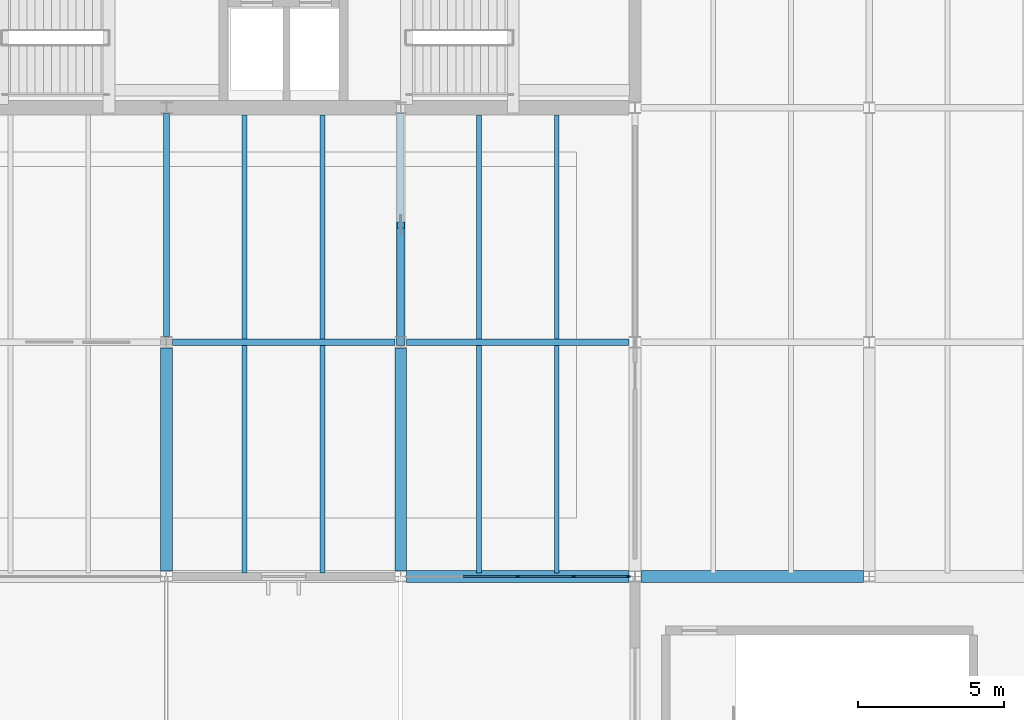
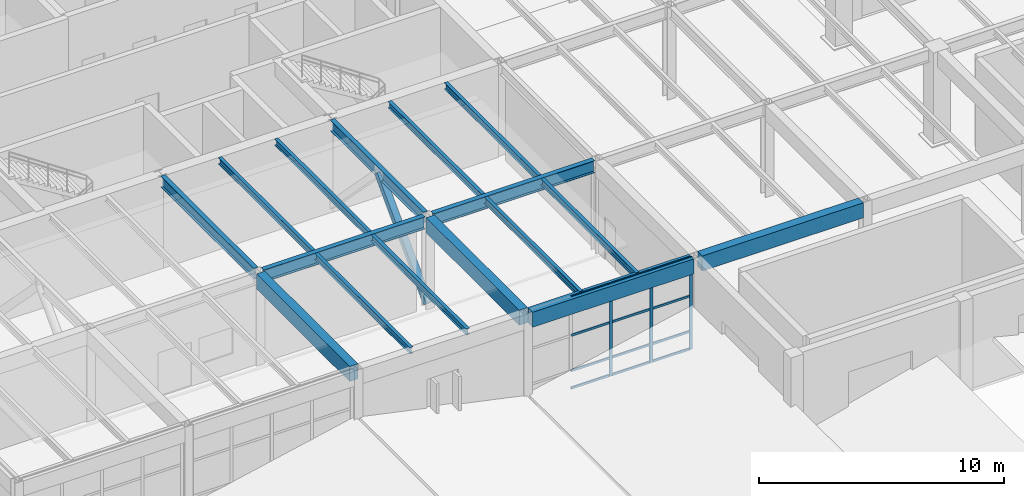
# One storey, part 11 of 60: 16 beams, 16 members, 1 element without a shape of its own.
"""IFC4 building model written with IfcOpenShell, lengths in metres."""

from ifc_helpers import new_model, si_unit, direction, frame, origin, origin_2d, place, context, subcontext, project, spatial, rectangle, hollow_rectangle, i_section, extrude, material, layer, layer_set, material_profile, profile_set, type_object, element, aggregate, save


model = new_model("IFC4")

# Units and contexts
model_context = context("Model", 3, precision=1e-05, world=origin(), true_north=direction((0.0, 1.0)))
body_context = subcontext(model_context, "Body", "Model", "MODEL_VIEW")
ifc_project = project(units=[si_unit("LENGTHUNIT", "METRE"), si_unit("AREAUNIT", "SQUARE_METRE"), si_unit("VOLUMEUNIT", "CUBIC_METRE"), si_unit("PLANEANGLEUNIT", "RADIAN"), si_unit("MASSUNIT", "GRAM", prefix="KILO")], contexts=[model_context])

# Site, building, storey
site_placement = place(None, origin())
site = spatial("IfcSite", under=ifc_project, at=site_placement, CompositionType="ELEMENT")
building_placement = place(site_placement, origin())
building = spatial("IfcBuilding", under=site, at=building_placement, Name="Varnela Railside Interchange", CompositionType="ELEMENT")
storey_placement = place(building_placement, frame((0.0, 0.0, 6.300048828125)))
storey = spatial("IfcBuildingStorey", under=building, at=storey_placement, Name="L01", CompositionType="ELEMENT", Elevation=6.300048828125)

# Beams
ifc_material_1 = material(Name="Steel AR 350 (350 MPa)", Category="steel")
ifc_material_profile_1 = material_profile(ifc_material_1, i_section(OverallWidth=0.1650390625, OverallDepth=0.31005859375, WebThickness=0.005859375, FlangeThickness=0.009765625, at=origin_2d()), Name="W310x38.7")
ifc_profile_set_1 = profile_set([ifc_material_profile_1], Name="Steel AR 350 (350 MPa)")
beam_type_1 = type_object("IfcBeamType", Name="Composite Floor Joist J-04", PredefinedType="JOIST", material=ifc_profile_set_1)
for number, where, z_axis, x_axis, name in (
    (1, (22.669921875, 38.114501953125, 4.445068359375), (0.0, 1.0, 0.0), (-1.0, 0.0, 0.0), "Composite Floor Joist J-04 (L01) (BM-1548)"),
    (2, (25.330078125, 38.114501953125, 4.445068359375), (0.0, 1.0, 0.0), (-1.0, 0.0, 0.0), "Composite Floor Joist J-04 (L01) (BM-1549)"),
):
    element("IfcBeam", number, at=place(storey_placement, frame(where, z_axis=z_axis, x_axis=x_axis)), inside=storey, type_object=beam_type_1, Name=name, PredefinedType="JOIST", context=body_context, shape_type="SweptSolid", body=[
        extrude(i_section(OverallWidth=0.1650390625, OverallDepth=0.31005859375, WebThickness=0.005859375, FlangeThickness=0.009765625, at=origin_2d()), origin(), (0.0, 0.0, 1.0), 7.77099609375),
    ])
for number, where, z_axis, x_axis, name in (
    (3, (22.669921875, 46.114501953125, 4.445068359375), (0.0, 1.0, 0.0), (-1.0, 0.0, 0.0), "Composite Floor Joist J-04 (L01) (BM-1550)"),
    (4, (25.330078125, 46.114501953125, 4.445068359375), (0.0, 1.0, 0.0), (-1.0, 0.0, 0.0), "Composite Floor Joist J-04 (L01) (BM-1551)"),
):
    element("IfcBeam", number, at=place(storey_placement, frame(where, z_axis=z_axis, x_axis=x_axis)), inside=storey, type_object=beam_type_1, Name=name, PredefinedType="JOIST", context=body_context, shape_type="SweptSolid", body=[
        extrude(i_section(OverallWidth=0.1650390625, OverallDepth=0.31005859375, WebThickness=0.005859375, FlangeThickness=0.009765625, at=origin_2d()), origin(), (0.0, 0.0, 1.0), 7.6455078125),
    ])
for number, where, z_axis, x_axis, name in (
    (5, (30.669921875, 38.114501953125, 4.445068359375), (0.0, 1.0, 0.0), (-1.0, 0.0, 0.0), "Composite Floor Joist J-04 (L01) (BM-1558)"),
    (6, (33.330078125, 38.114501953125, 4.445068359375), (0.0, 1.0, 0.0), (-1.0, 0.0, 0.0), "Composite Floor Joist J-04 (L01) (BM-1559)"),
):
    element("IfcBeam", number, at=place(storey_placement, frame(where, z_axis=z_axis, x_axis=x_axis)), inside=storey, type_object=beam_type_1, Name=name, PredefinedType="JOIST", context=body_context, shape_type="SweptSolid", body=[
        extrude(i_section(OverallWidth=0.1650390625, OverallDepth=0.31005859375, WebThickness=0.005859375, FlangeThickness=0.009765625, at=origin_2d()), origin(), (0.0, 0.0, 1.0), 7.77099609375),
    ])
for number, where, z_axis, x_axis, name in (
    (7, (30.669921875, 46.114501953125, 4.445068359375), (0.0, 1.0, 0.0), (-1.0, 0.0, 0.0), "Composite Floor Joist J-04 (L01) (BM-1560)"),
    (8, (33.330078125, 46.114501953125, 4.445068359375), (0.0, 1.0, 0.0), (-1.0, 0.0, 0.0), "Composite Floor Joist J-04 (L01) (BM-1561)"),
):
    element("IfcBeam", number, at=place(storey_placement, frame(where, z_axis=z_axis, x_axis=x_axis)), inside=storey, type_object=beam_type_1, Name=name, PredefinedType="JOIST", context=body_context, shape_type="SweptSolid", body=[
        extrude(i_section(OverallWidth=0.1650390625, OverallDepth=0.31005859375, WebThickness=0.005859375, FlangeThickness=0.009765625, at=origin_2d()), origin(), (0.0, 0.0, 1.0), 7.6455078125),
    ])
ifc_material_profile_2 = material_profile(ifc_material_1, i_section(OverallWidth=0.2119140625, OverallDepth=0.5439453125, WebThickness=0.01318359375, FlangeThickness=0.021240234375, at=origin_2d()), Name="W530x123")
ifc_profile_set_2 = profile_set([ifc_material_profile_2], Name="Steel AR 350 (350 MPa)")
beam_type_2 = type_object("IfcBeamType", Name="Composite Heavy Girder B-16", PredefinedType="BEAM", material=ifc_profile_set_2)
for number, where, z_axis, x_axis, name in (
    (9, (20.0, 46.193603515625, 4.327880859375), (0.0, 1.0, 0.0), (-1.0, 0.0, 0.0), "Composite Heavy Girder B-16 (L01) (BM-1756)"),
    (10, (28.0, 46.193603515625, 4.327880859375), (0.0, 1.0, 0.0), (-1.0, 0.0, 0.0), "Composite Heavy Girder B-16 (L01) (BM-1761)"),
):
    element("IfcBeam", number, at=place(storey_placement, frame(where, z_axis=z_axis, x_axis=x_axis)), inside=storey, type_object=beam_type_2, Name=name, PredefinedType="BEAM", context=body_context, shape_type="SweptSolid", body=[
        extrude(i_section(OverallWidth=0.2119140625, OverallDepth=0.5439453125, WebThickness=0.01318359375, FlangeThickness=0.021240234375, at=origin_2d()), origin(), (0.0, 0.0, 1.0), 7.60693359375),
    ])

# Curtain wall, members
ifc_material_2 = material(Name="Aluminium 6063-T6", Category="aluminium")
ifc_layer = layer(ifc_material_2, 0.035888671875)
ifc_layer_set = layer_set([ifc_layer], Name="Aluminium 6063-T6")
curtain_wall_type = type_object("IfcCurtainWallType", Name="Operations Wing Facade Curtain Wall CW-03", PredefinedType="USERDEFINED", material=ifc_layer_set)
curtain_wall_placement = place(storey_placement, origin())
curtain_wall = element("IfcCurtainWall", 11, at=curtain_wall_placement, inside=storey, type_object=curtain_wall_type, Name="Curtain Wall CW-03 (L01) (CW-042)", ObjectType="CURTAIN WALL", PredefinedType="USERDEFINED")
ifc_material_profile_3 = material_profile(ifc_material_2, rectangle(XDim=0.06005859375, YDim=0.139892578125, at=origin_2d()), Name="ALU 60x140")
ifc_profile_set_3 = profile_set([ifc_material_profile_3], Name="Aluminium 6063-T6")
member_type_1 = type_object("IfcMemberType", Name="Curtain Wall Mullion ML-01", PredefinedType="MULLION", material=ifc_profile_set_3)
member_1_placement = place(storey_placement, frame((35.77099609375, 38.0, 0.0), z_axis=(0.0, 0.0, 1.0), x_axis=(0.0, -1.0, 0.0)))
member_1 = element("IfcMember", 12, at=member_1_placement, type_object=member_type_1, Name="CW-03 mullion 1", PredefinedType="MULLION", context=body_context, shape_type="SweptSolid", body=[
    extrude(rectangle(XDim=0.06005859375, YDim=0.139892578125, at=origin_2d()), origin(), (0.0, 0.0, 1.0), 4.599853515625),
])
member_2_placement = place(storey_placement, frame((33.900390625, 38.0, 0.0), z_axis=(0.0, 0.0, 1.0), x_axis=(0.0, -1.0, 0.0)))
member_2 = element("IfcMember", 13, at=member_2_placement, type_object=member_type_1, Name="CW-03 mullion 2", PredefinedType="MULLION", context=body_context, shape_type="SweptSolid", body=[
    extrude(rectangle(XDim=0.06005859375, YDim=0.139892578125, at=origin_2d()), origin(), (0.0, 0.0, 1.0), 4.599853515625),
])
member_3_placement = place(storey_placement, frame((32.0, 38.0, 0.0), z_axis=(0.0, 0.0, 1.0), x_axis=(0.0, -1.0, 0.0)))
member_3 = element("IfcMember", 14, at=member_3_placement, type_object=member_type_1, Name="CW-03 mullion 3", PredefinedType="MULLION", context=body_context, shape_type="SweptSolid", body=[
    extrude(rectangle(XDim=0.06005859375, YDim=0.139892578125, at=origin_2d()), origin(), (0.0, 0.0, 1.0), 4.599853515625),
])
ifc_material_profile_4 = material_profile(ifc_material_2, rectangle(XDim=0.06005859375, YDim=0.110107421875, at=origin_2d()), Name="ALU 60x110")
ifc_profile_set_4 = profile_set([ifc_material_profile_4], Name="Aluminium 6063-T6")
member_type_2 = type_object("IfcMemberType", Name="Curtain Wall Transom TR-01", PredefinedType="USERDEFINED", material=ifc_profile_set_4)
member_4_placement = place(storey_placement, frame((35.740966796875, 38.0, 0.030029296875), z_axis=(-1.0, 0.0, 0.0), x_axis=(0.0, -1.0, 0.0)))
member_4 = element("IfcMember", 15, at=member_4_placement, type_object=member_type_2, Name="CW-03 transom 1.1", ObjectType="TRANSOM", PredefinedType="USERDEFINED", context=body_context, shape_type="SweptSolid", body=[
    extrude(rectangle(XDim=0.06005859375, YDim=0.110107421875, at=origin_2d()), origin(), (0.0, 0.0, 1.0), 1.810546875),
])
member_5_placement = place(storey_placement, frame((35.740966796875, 38.0, 0.89990234375), z_axis=(-1.0, 0.0, 0.0), x_axis=(0.0, -1.0, 0.0)))
member_5 = element("IfcMember", 16, at=member_5_placement, type_object=member_type_2, Name="CW-03 transom 1.2", ObjectType="TRANSOM", PredefinedType="USERDEFINED", context=body_context, shape_type="SweptSolid", body=[
    extrude(rectangle(XDim=0.06005859375, YDim=0.110107421875, at=origin_2d()), origin(), (0.0, 0.0, 1.0), 1.810546875),
])
member_6_placement = place(storey_placement, frame((35.740966796875, 38.0, 2.66796875), z_axis=(-1.0, 0.0, 0.0), x_axis=(0.0, -1.0, 0.0)))
member_6 = element("IfcMember", 17, at=member_6_placement, type_object=member_type_2, Name="CW-03 transom 1.3", ObjectType="TRANSOM", PredefinedType="USERDEFINED", context=body_context, shape_type="SweptSolid", body=[
    extrude(rectangle(XDim=0.06005859375, YDim=0.110107421875, at=origin_2d()), origin(), (0.0, 0.0, 1.0), 1.810546875),
])
member_7_placement = place(storey_placement, frame((35.740966796875, 38.0, 4.570068359375), z_axis=(-1.0, 0.0, 0.0), x_axis=(0.0, -1.0, 0.0)))
member_7 = element("IfcMember", 18, at=member_7_placement, type_object=member_type_2, Name="CW-03 transom 1.4", ObjectType="TRANSOM", PredefinedType="USERDEFINED", context=body_context, shape_type="SweptSolid", body=[
    extrude(rectangle(XDim=0.06005859375, YDim=0.110107421875, at=origin_2d()), origin(), (0.0, 0.0, 1.0), 1.810546875),
])
member_8_placement = place(storey_placement, frame((33.87060546875, 38.0, 0.030029296875), z_axis=(-1.0, 0.0, 0.0), x_axis=(0.0, -1.0, 0.0)))
member_8 = element("IfcMember", 19, at=member_8_placement, type_object=member_type_2, Name="CW-03 transom 2.1", ObjectType="TRANSOM", PredefinedType="USERDEFINED", context=body_context, shape_type="SweptSolid", body=[
    extrude(rectangle(XDim=0.06005859375, YDim=0.110107421875, at=origin_2d()), origin(), (0.0, 0.0, 1.0), 1.840576171875),
])
member_9_placement = place(storey_placement, frame((33.87060546875, 38.0, 0.89990234375), z_axis=(-1.0, 0.0, 0.0), x_axis=(0.0, -1.0, 0.0)))
member_9 = element("IfcMember", 20, at=member_9_placement, type_object=member_type_2, Name="CW-03 transom 2.2", ObjectType="TRANSOM", PredefinedType="USERDEFINED", context=body_context, shape_type="SweptSolid", body=[
    extrude(rectangle(XDim=0.06005859375, YDim=0.110107421875, at=origin_2d()), origin(), (0.0, 0.0, 1.0), 1.840576171875),
])
member_10_placement = place(storey_placement, frame((33.87060546875, 38.0, 2.66796875), z_axis=(-1.0, 0.0, 0.0), x_axis=(0.0, -1.0, 0.0)))
member_10 = element("IfcMember", 21, at=member_10_placement, type_object=member_type_2, Name="CW-03 transom 2.3", ObjectType="TRANSOM", PredefinedType="USERDEFINED", context=body_context, shape_type="SweptSolid", body=[
    extrude(rectangle(XDim=0.06005859375, YDim=0.110107421875, at=origin_2d()), origin(), (0.0, 0.0, 1.0), 1.840576171875),
])
member_11_placement = place(storey_placement, frame((33.87060546875, 38.0, 4.570068359375), z_axis=(-1.0, 0.0, 0.0), x_axis=(0.0, -1.0, 0.0)))
member_11 = element("IfcMember", 22, at=member_11_placement, type_object=member_type_2, Name="CW-03 transom 2.4", ObjectType="TRANSOM", PredefinedType="USERDEFINED", context=body_context, shape_type="SweptSolid", body=[
    extrude(rectangle(XDim=0.06005859375, YDim=0.110107421875, at=origin_2d()), origin(), (0.0, 0.0, 1.0), 1.840576171875),
])
member_12_placement = place(storey_placement, frame((31.969970703125, 38.0, 0.030029296875), z_axis=(-1.0, 0.0, 0.0), x_axis=(0.0, -1.0, 0.0)))
member_12 = element("IfcMember", 23, at=member_12_placement, type_object=member_type_2, Name="CW-03 transom 3.1", ObjectType="TRANSOM", PredefinedType="USERDEFINED", context=body_context, shape_type="SweptSolid", body=[
    extrude(rectangle(XDim=0.06005859375, YDim=0.110107421875, at=origin_2d()), origin(), (0.0, 0.0, 1.0), 1.840576171875),
])
member_13_placement = place(storey_placement, frame((31.969970703125, 38.0, 0.89990234375), z_axis=(-1.0, 0.0, 0.0), x_axis=(0.0, -1.0, 0.0)))
member_13 = element("IfcMember", 24, at=member_13_placement, type_object=member_type_2, Name="CW-03 transom 3.2", ObjectType="TRANSOM", PredefinedType="USERDEFINED", context=body_context, shape_type="SweptSolid", body=[
    extrude(rectangle(XDim=0.06005859375, YDim=0.110107421875, at=origin_2d()), origin(), (0.0, 0.0, 1.0), 1.840576171875),
])
member_14_placement = place(storey_placement, frame((31.969970703125, 38.0, 2.66796875), z_axis=(-1.0, 0.0, 0.0), x_axis=(0.0, -1.0, 0.0)))
member_14 = element("IfcMember", 25, at=member_14_placement, type_object=member_type_2, Name="CW-03 transom 3.3", ObjectType="TRANSOM", PredefinedType="USERDEFINED", context=body_context, shape_type="SweptSolid", body=[
    extrude(rectangle(XDim=0.06005859375, YDim=0.110107421875, at=origin_2d()), origin(), (0.0, 0.0, 1.0), 1.840576171875),
])
member_15_placement = place(storey_placement, frame((31.969970703125, 38.0, 4.570068359375), z_axis=(-1.0, 0.0, 0.0), x_axis=(0.0, -1.0, 0.0)))
member_15 = element("IfcMember", 26, at=member_15_placement, type_object=member_type_2, Name="CW-03 transom 3.4", ObjectType="TRANSOM", PredefinedType="USERDEFINED", context=body_context, shape_type="SweptSolid", body=[
    extrude(rectangle(XDim=0.06005859375, YDim=0.110107421875, at=origin_2d()), origin(), (0.0, 0.0, 1.0), 1.840576171875),
])
aggregate(curtain_wall, [member_1, member_2, member_3, member_4, member_5, member_6, member_7, member_8, member_9, member_10, member_11, member_12, member_13, member_14, member_15])

# Member
ifc_material_profile_5 = material_profile(ifc_material_1, hollow_rectangle(XDim=0.300048828125, YDim=0.300048828125, WallThickness=0.01611328125, at=origin_2d()), Name="HSS 300x300x16")
ifc_profile_set_5 = profile_set([ifc_material_profile_5], Name="Steel AR 350 (350 MPa)")
member_type_3 = type_object("IfcMemberType", Name="Lateral Chevron Brace BR-01", PredefinedType="BRACE", material=ifc_profile_set_5)
member_16_placement = place(storey_placement, frame((28.0, 46.0, 0.14990234375), z_axis=(0.0, 0.698315330267, 0.715790262238), x_axis=(-1.0, 0.0, 0.0)))
element("IfcMember", 27, at=member_16_placement, inside=storey, type_object=member_type_3, Name="Lateral Chevron Brace BR-01 (L01) (MB-0073)", PredefinedType="BRACE", context=body_context, shape_type="SweptSolid", body=[
    extrude(hollow_rectangle(XDim=0.300048828125, YDim=0.300048828125, WallThickness=0.01611328125, at=origin_2d()), origin(), (0.0, 0.0, 1.0), 5.72802734375),
])

# Beams
ifc_material_profile_6 = material_profile(ifc_material_1, i_section(OverallWidth=0.22900390625, OverallDepth=0.612060546875, WebThickness=0.011962890625, FlangeThickness=0.01953125, at=origin_2d()), Name="W610x125")
ifc_profile_set_6 = profile_set([ifc_material_profile_6], Name="Steel AR 350 (350 MPa)")
beam_type_3 = type_object("IfcBeamType", Name="Podium Composite Girder B-15", PredefinedType="BEAM", material=ifc_profile_set_6)
for number, where, z_axis, x_axis, name in (
    (28, (20.198974609375, 46.0, 4.2939453125), (1.0, 0.0, 0.0), (0.0, 1.0, 0.0), "Podium Composite Girder B-15 (L01) (BM-1632)"),
    (29, (28.198974609375, 46.0, 4.2939453125), (1.0, 0.0, 0.0), (0.0, 1.0, 0.0), "Podium Composite Girder B-15 (L01) (BM-1633)"),
):
    element("IfcBeam", number, at=place(storey_placement, frame(where, z_axis=z_axis, x_axis=x_axis)), inside=storey, type_object=beam_type_3, Name=name, PredefinedType="BEAM", context=body_context, shape_type="SweptSolid", body=[
        extrude(i_section(OverallWidth=0.22900390625, OverallDepth=0.612060546875, WebThickness=0.011962890625, FlangeThickness=0.01953125, at=origin_2d()), origin(), (0.0, 0.0, 1.0), 7.60205078125),
    ])
ifc_material_3 = material(Name="Concrete C40 precast", Category="concrete")
ifc_material_profile_7 = material_profile(ifc_material_3, rectangle(XDim=0.39990234375, YDim=0.75, at=origin_2d()), Name="PC 400x750")
ifc_profile_set_7 = profile_set([ifc_material_profile_7], Name="Concrete C40 precast")
beam_type_4 = type_object("IfcBeamType", Name="Precast Facade Spandrel SP-03", PredefinedType="SPANDREL", material=ifc_profile_set_7)
for number, where, z_axis, x_axis, name in (
    (30, (28.198974609375, 38.0, 4.224853515625), (1.0, 0.0, 0.0), (0.0, 1.0, 0.0), "Precast Facade Spandrel SP-03 (L01) (BM-1613)"),
    (31, (36.198974609375, 38.0, 4.224853515625), (1.0, 0.0, 0.0), (0.0, 1.0, 0.0), "Precast Facade Spandrel SP-03 (L01) (BM-1614)"),
):
    element("IfcBeam", number, at=place(storey_placement, frame(where, z_axis=z_axis, x_axis=x_axis)), inside=storey, type_object=beam_type_4, Name=name, PredefinedType="SPANDREL", context=body_context, shape_type="SweptSolid", body=[
        extrude(rectangle(XDim=0.39990234375, YDim=0.75, at=origin_2d()), origin(), (0.0, 0.0, 1.0), 7.60205078125),
    ])
for number, where, z_axis, x_axis, name in (
    (32, (20.0, 38.193603515625, 4.224853515625), (0.0, 1.0, 0.0), (-1.0, 0.0, 0.0), "Precast Facade Spandrel SP-03 (L01) (BM-1755)"),
    (33, (28.0, 38.193603515625, 4.224853515625), (0.0, 1.0, 0.0), (-1.0, 0.0, 0.0), "Precast Facade Spandrel SP-03 (L01) (BM-1760)"),
):
    element("IfcBeam", number, at=place(storey_placement, frame(where, z_axis=z_axis, x_axis=x_axis)), inside=storey, type_object=beam_type_4, Name=name, PredefinedType="SPANDREL", context=body_context, shape_type="SweptSolid", body=[
        extrude(rectangle(XDim=0.39990234375, YDim=0.75, at=origin_2d()), origin(), (0.0, 0.0, 1.0), 7.61279296875),
    ])

save(model, "model.ifc")
